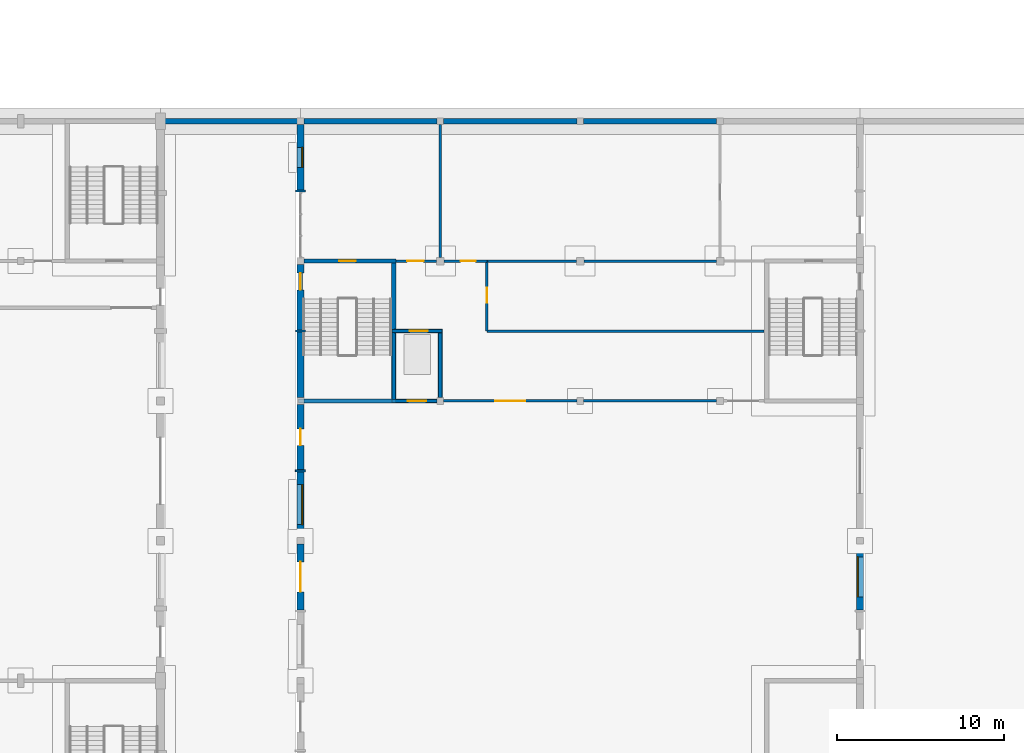
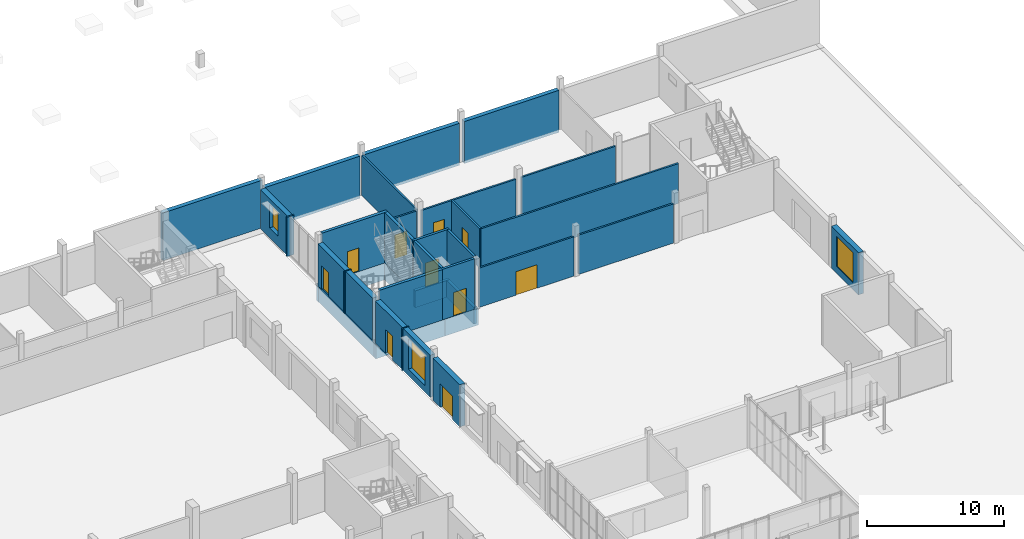
# One storey, part 26 of 36: 37 walls, 10 doors, 3 windows, 13 openings.
"""IFC4 building model written with IfcOpenShell, lengths in metres."""

from ifc_helpers import new_model, si_unit, direction, frame, frame_2d, origin, place, context, subcontext, project, spatial, rectangle, extrude, material, layer, layer_set, type_object, element, fill, save


model = new_model("IFC4")

# Units and contexts
model_context = context("Model", 3, precision=1e-05, world=origin(), true_north=direction((0.0, 1.0)))
body_context = subcontext(model_context, "Body", "Model", "MODEL_VIEW")
ifc_project = project(units=[si_unit("LENGTHUNIT", "METRE"), si_unit("AREAUNIT", "SQUARE_METRE"), si_unit("VOLUMEUNIT", "CUBIC_METRE"), si_unit("PLANEANGLEUNIT", "RADIAN"), si_unit("MASSUNIT", "GRAM", prefix="KILO")], contexts=[model_context])

# Site, building, storey
site_placement = place(None, origin())
site = spatial("IfcSite", under=ifc_project, at=site_placement, CompositionType="ELEMENT")
building_placement = place(site_placement, origin())
building = spatial("IfcBuilding", under=site, at=building_placement, Name="Fescue Hill Polytechnic", CompositionType="ELEMENT")
storey_placement = place(building_placement, origin())
storey = spatial("IfcBuildingStorey", under=building, at=storey_placement, Name="L00", CompositionType="ELEMENT", Elevation=0.0)

# Wall
ifc_material_1 = material(Name="Concrete 40 MPa", Category="concrete")
ifc_layer_1 = layer(ifc_material_1, 0.25)
ifc_layer_set_1 = layer_set([ifc_layer_1], Name="Concrete 40 MPa")
wall_type_1 = type_object("IfcWallType", Name="Core wall 250", PredefinedType="SHEAR", material=ifc_layer_set_1)
wall_1_placement = place(storey_placement, frame((126.199951171875, 33.60009765625, 0.0), z_axis=(0.0, 0.0, 1.0), x_axis=(1.0, 0.0, 0.0)))
element("IfcWall", 1, at=wall_1_placement, inside=storey, type_object=wall_type_1, Name="CW-L00-ST-V3-1-11", PredefinedType="SHEAR", context=body_context, shape_type="SweptSolid", body=[
    extrude(rectangle(XDim=5.300048828125, YDim=0.25, at=frame_2d((2.64990234375, 0.0))), origin(), (0.0, 0.0, 1.0), 4.5),
])

# Wall, opening, door
wall_2_placement = place(storey_placement, frame((126.199951171875, 42.0, 0.0), z_axis=(0.0, 0.0, 1.0), x_axis=(1.0, 0.0, 0.0)))
wall_2 = element("IfcWall", 2, at=wall_2_placement, inside=storey, type_object=wall_type_1, Name="CW-L00-ST-V3-1-21", PredefinedType="SHEAR", context=body_context, shape_type="SweptSolid", body=[
    extrude(rectangle(XDim=5.525146484375, YDim=0.25, at=frame_2d((2.7626953125, 0.0))), origin(), (0.0, 0.0, 1.0), 4.5),
])
opening_1_placement = place(wall_2_placement, frame((2.125, 0.0, 0.0)))
opening_1 = element("IfcOpeningElement", 3, at=opening_1_placement, cuts=wall_2, Name="Opening D0080", PredefinedType="OPENING", context=body_context, shape_type="SweptSolid", body=[
    extrude(rectangle(XDim=1.0, YDim=2.10009765625, at=frame_2d((0.5, 1.050048828125))), frame((0.0, 0.135009765625, 0.0), z_axis=(0.0, -1.0, 0.0), x_axis=(1.0, 0.0, 0.0)), (0.0, 0.0, 1.0), 0.27001953125),
])
ifc_material_2 = material(Name="Steel fire door", Category="steel")
door_type_1 = type_object("IfcDoorType", Name="Door single swing 1000x2100 stair fire rated", OperationType="NOTDEFINED", PredefinedType="DOOR", material=ifc_material_2)
door_1_placement = place(opening_1_placement, origin())
door_1 = element("IfcDoor", 4, at=door_1_placement, inside=storey, type_object=door_type_1, Name="L00 ST-V3-1 stair door", OperationType="SINGLE_SWING_RIGHT", OverallHeight=2.10009765625, OverallWidth=1.0, PredefinedType="DOOR", context=body_context, shape_type="SweptSolid", body=[
    extrude(rectangle(XDim=1.0, YDim=2.10009765625, at=frame_2d((0.5, 1.050048828125))), frame((0.0, 0.02490234375, 0.0), z_axis=(0.0, -1.0, 0.0), x_axis=(1.0, 0.0, 0.0)), (0.0, 0.0, 1.0), 0.050048828125),
])
fill(opening_1, door_1)

# Walls
wall_3_placement = place(storey_placement, frame((131.60009765625, 37.81005859375, 0.0), z_axis=(0.0, 0.0, 1.0), x_axis=(0.0, 1.0, 0.0)))
element("IfcWall", 5, at=wall_3_placement, inside=storey, type_object=wall_type_1, Name="CW-L00-ST-V3-1-41", PredefinedType="SHEAR", context=body_context, shape_type="SweptSolid", body=[
    extrude(rectangle(XDim=4.06494140625, YDim=0.25, at=frame_2d((2.032470703125, 0.0))), origin(), (0.0, 0.0, 1.0), 4.5),
])
for number, where, z_axis, x_axis, name in (
    (6, (125.875, 33.60009765625, -1.5), (0.0, 0.0, 1.0), (1.0, 0.0, 0.0), "FW-ST-V3-1-1"),
    (7, (125.875, 42.0, -1.5), (0.0, 0.0, 1.0), (1.0, 0.0, 0.0), "FW-ST-V3-1-2"),
):
    element("IfcWall", number, at=place(storey_placement, frame(where, z_axis=z_axis, x_axis=x_axis)), inside=storey, type_object=wall_type_1, Name=name, PredefinedType="SHEAR", context=body_context, shape_type="SweptSolid", body=[
        extrude(rectangle(XDim=5.85009765625, YDim=0.25, at=frame_2d((2.925048828125, 0.0))), origin(), (0.0, 0.0, 1.0), 1.5),
    ])
for number, where, z_axis, x_axis, name in (
    (8, (126.0, 33.72509765625, -1.5), (0.0, 0.0, 1.0), (0.0, 1.0, 0.0), "FW-ST-V3-1-3"),
    (9, (131.60009765625, 33.72509765625, -1.5), (0.0, 0.0, 1.0), (0.0, 1.0, 0.0), "FW-ST-V3-1-4"),
):
    element("IfcWall", number, at=place(storey_placement, frame(where, z_axis=z_axis, x_axis=x_axis)), inside=storey, type_object=wall_type_1, Name=name, PredefinedType="SHEAR", context=body_context, shape_type="SweptSolid", body=[
        extrude(rectangle(XDim=8.14990234375, YDim=0.25, at=frame_2d((4.074951171875, 0.0))), origin(), (0.0, 0.0, 1.0), 1.5),
    ])

# Wall, opening, door
ifc_material_3 = material(Name="Gypsum board partition")
ifc_layer_2 = layer(ifc_material_3, 0.14990234375)
ifc_layer_set_2 = layer_set([ifc_layer_2], Name="Gypsum board partition")
wall_type_2 = type_object("IfcWallType", Name="Corridor wall 150 EI 45", PredefinedType="PARTITIONING", material=ifc_layer_set_2)
wall_4_placement = place(storey_placement, frame((134.60009765625, 33.60009765625, 0.0), z_axis=(0.0, 0.0, 1.0), x_axis=(1.0, 0.0, 0.0)))
wall_4 = element("IfcWall", 10, at=wall_4_placement, inside=storey, type_object=wall_type_2, Name="IW-L00-039", PredefinedType="PARTITIONING", context=body_context, shape_type="SweptSolid", body=[
    extrude(rectangle(XDim=8.0, YDim=0.14990234375, at=frame_2d((4.0, 0.0))), origin(), (0.0, 0.0, 1.0), 3.5),
])
opening_2_placement = place(wall_4_placement, frame((3.10009765625, 0.0, 0.0)))
opening_2 = element("IfcOpeningElement", 11, at=opening_2_placement, cuts=wall_4, Name="Opening D0062", PredefinedType="OPENING", context=body_context, shape_type="SweptSolid", body=[
    extrude(rectangle(XDim=1.800048828125, YDim=2.10009765625, at=frame_2d((0.89990234375, 1.050048828125))), frame((0.0, 0.0849609375, 0.0), z_axis=(0.0, -1.0, 0.0), x_axis=(1.0, 0.0, 0.0)), (0.0, 0.0, 1.0), 0.169921875),
])
ifc_material_4 = material(Name="Timber", Category="wood")
door_type_2 = type_object("IfcDoorType", Name="Door double swing 1800x2100 FD30S", OperationType="DOUBLE_DOOR_SINGLE_SWING", PredefinedType="DOOR", material=ifc_material_4)
door_2_placement = place(opening_2_placement, origin())
door_2 = element("IfcDoor", 12, at=door_2_placement, inside=storey, type_object=door_type_2, Name="Door D0062", OperationType="DOUBLE_DOOR_SINGLE_SWING", OverallHeight=2.10009765625, OverallWidth=1.800048828125, PredefinedType="DOOR", context=body_context, shape_type="SweptSolid", body=[
    extrude(rectangle(XDim=1.800048828125, YDim=2.10009765625, at=frame_2d((0.89990234375, 1.050048828125))), frame((0.0, 0.02490234375, 0.0), z_axis=(0.0, -1.0, 0.0), x_axis=(1.0, 0.0, 0.0)), (0.0, 0.0, 1.0), 0.050048828125),
])
fill(opening_2, door_2)

# Walls
wall_5_placement = place(storey_placement, frame((143.0, 33.60009765625, 0.0), z_axis=(0.0, 0.0, 1.0), x_axis=(1.0, 0.0, 0.0)))
element("IfcWall", 13, at=wall_5_placement, inside=storey, type_object=wall_type_2, Name="IW-L00-040", PredefinedType="PARTITIONING", context=body_context, shape_type="SweptSolid", body=[
    extrude(rectangle(XDim=8.0, YDim=0.14990234375, at=frame_2d((4.0, 0.0))), origin(), (0.0, 0.0, 1.0), 3.5),
])
wall_6_placement = place(storey_placement, frame((137.199951171875, 37.800048828125, 0.0), z_axis=(0.0, 0.0, 1.0), x_axis=(1.0, 0.0, 0.0)))
element("IfcWall", 14, at=wall_6_placement, inside=storey, type_object=wall_type_2, Name="IW-L00-042", PredefinedType="PARTITIONING", context=body_context, shape_type="SweptSolid", body=[
    extrude(rectangle(XDim=16.650146484375, YDim=0.14990234375, at=frame_2d((8.3251953125, 0.0))), origin(), (0.0, 0.0, 1.0), 3.550048828125),
])

# Wall, opening, door
wall_7_placement = place(storey_placement, frame((134.625, 42.0, 0.0), z_axis=(0.0, 0.0, 1.0), x_axis=(1.0, 0.0, 0.0)))
wall_7 = element("IfcWall", 15, at=wall_7_placement, inside=storey, type_object=wall_type_2, Name="IW-L00-047", PredefinedType="PARTITIONING", context=body_context, shape_type="SweptSolid", body=[
    extrude(rectangle(XDim=2.574951171875, YDim=0.14990234375, at=frame_2d((1.28759765625, 0.0))), origin(), (0.0, 0.0, 1.0), 3.550048828125),
])
opening_3_placement = place(wall_7_placement, frame((1.0, 0.0, 0.0)))
opening_3 = element("IfcOpeningElement", 16, at=opening_3_placement, cuts=wall_7, Name="Opening D0067", PredefinedType="OPENING", context=body_context, shape_type="SweptSolid", body=[
    extrude(rectangle(XDim=0.89990234375, YDim=2.10009765625, at=frame_2d((0.449951171875, 1.050048828125))), frame((0.0, 0.0849609375, 0.0), z_axis=(0.0, -1.0, 0.0), x_axis=(1.0, 0.0, 0.0)), (0.0, 0.0, 1.0), 0.169921875),
])
door_type_3 = type_object("IfcDoorType", Name="Door single swing 900x2100 FD30S", OperationType="SINGLE_SWING_LEFT", PredefinedType="DOOR", material=ifc_material_4)
door_3_placement = place(opening_3_placement, origin())
door_3 = element("IfcDoor", 17, at=door_3_placement, inside=storey, type_object=door_type_3, Name="Door D0067", OperationType="SINGLE_SWING_RIGHT", OverallHeight=2.10009765625, OverallWidth=0.89990234375, PredefinedType="DOOR", context=body_context, shape_type="SweptSolid", body=[
    extrude(rectangle(XDim=0.89990234375, YDim=2.10009765625, at=frame_2d((0.449951171875, 1.050048828125))), frame((0.0, 0.02490234375, 0.0), z_axis=(0.0, -1.0, 0.0), x_axis=(1.0, 0.0, 0.0)), (0.0, 0.0, 1.0), 0.050048828125),
])
fill(opening_3, door_3)

wall_8_placement = place(storey_placement, frame((137.199951171875, 37.800048828125, 0.0), z_axis=(0.0, 0.0, 1.0), x_axis=(0.0, 1.0, 0.0)))
wall_8 = element("IfcWall", 18, at=wall_8_placement, inside=storey, type_object=wall_type_2, Name="IW-L00-095", PredefinedType="PARTITIONING", context=body_context, shape_type="SweptSolid", body=[
    extrude(rectangle(XDim=4.199951171875, YDim=0.14990234375, at=frame_2d((2.10009765625, 0.0))), origin(), (0.0, 0.0, 1.0), 3.550048828125),
])
opening_4_placement = place(wall_8_placement, frame((1.699951171875, 0.0, 0.0)))
opening_4 = element("IfcOpeningElement", 19, at=opening_4_placement, cuts=wall_8, Name="Opening D0065", PredefinedType="OPENING", context=body_context, shape_type="SweptSolid", body=[
    extrude(rectangle(XDim=0.89990234375, YDim=2.10009765625, at=frame_2d((0.449951171875, 1.050048828125))), frame((0.0, 0.0849609375, 0.0), z_axis=(0.0, -1.0, 0.0), x_axis=(1.0, 0.0, 0.0)), (0.0, 0.0, 1.0), 0.169921875),
])
door_4_placement = place(opening_4_placement, origin())
door_4 = element("IfcDoor", 20, at=door_4_placement, inside=storey, type_object=door_type_3, Name="Door D0065", OperationType="SINGLE_SWING_RIGHT", OverallHeight=2.10009765625, OverallWidth=0.89990234375, PredefinedType="DOOR", context=body_context, shape_type="SweptSolid", body=[
    extrude(rectangle(XDim=0.89990234375, YDim=2.10009765625, at=frame_2d((0.449951171875, 1.050048828125))), frame((0.0, 0.02490234375, 0.0), z_axis=(0.0, -1.0, 0.0), x_axis=(1.0, 0.0, 0.0)), (0.0, 0.0, 1.0), 0.050048828125),
])
fill(opening_4, door_4)

# Wall, opening, window
ifc_material_5 = material(Name="Clay brick masonry", Category="masonry")
ifc_layer_3 = layer(ifc_material_5, 0.419921875)
ifc_layer_set_3 = layer_set([ifc_layer_3], Name="Clay brick masonry")
wall_type_3 = type_object("IfcWallType", Name="Exterior wall buff-red brick cavity 420", PredefinedType="SOLIDWALL", material=ifc_layer_set_3)
wall_9_placement = place(storey_placement, frame((159.60009765625, 21.06005859375, 0.0), z_axis=(0.0, 0.0, 1.0), x_axis=(0.0, 1.0, 0.0)))
wall_9 = element("IfcWall", 21, at=wall_9_placement, inside=storey, type_object=wall_type_3, Name="EW-L00-V3-4", PredefinedType="SOLIDWALL", context=body_context, shape_type="SweptSolid", body=[
    extrude(rectangle(XDim=3.93994140625, YDim=0.419921875, at=frame_2d((1.969970703125, 0.0))), origin(), (0.0, 0.0, 1.0), 3.75),
])
opening_5_placement = place(wall_9_placement, frame((0.77001953125, 0.0, 0.60009765625)))
opening_5 = element("IfcOpeningElement", 22, at=opening_5_placement, cuts=wall_9, Name="Opening W14", PredefinedType="OPENING", context=body_context, shape_type="SweptSolid", body=[
    extrude(rectangle(XDim=2.39990234375, YDim=2.699951171875, at=frame_2d((1.199951171875, 1.35009765625))), frame((0.0, 0.219970703125, 0.0), z_axis=(0.0, -1.0, 0.0), x_axis=(1.0, 0.0, 0.0)), (0.0, 0.0, 1.0), 0.43994140625),
])
ifc_material_6 = material(Name="Powder-coated aluminium and glass", Category="aluminium")
window_type_1 = type_object("IfcWindowType", Name="Window refectory tall 2400x2700", PartitioningType="TRIPLE_PANEL_VERTICAL", PredefinedType="WINDOW", material=ifc_material_6)
window_1_placement = place(opening_5_placement, origin())
window_1 = element("IfcWindow", 23, at=window_1_placement, inside=storey, type_object=window_type_1, Name="WN-L00-V3-1", OverallHeight=2.699951171875, OverallWidth=2.39990234375, PartitioningType="SINGLE_PANEL", PredefinedType="WINDOW", context=body_context, shape_type="SweptSolid", body=[
    extrude(rectangle(XDim=2.39990234375, YDim=2.699951171875, at=frame_2d((1.199951171875, 1.35009765625))), frame((0.0, 0.150146484375, 0.0), z_axis=(0.0, -1.0, 0.0), x_axis=(1.0, 0.0, 0.0)), (0.0, 0.0, 1.0), 0.06005859375),
])
fill(opening_5, window_1)

wall_10_placement = place(storey_placement, frame((126.0, 50.199951171875, 0.0), z_axis=(0.0, 0.0, 1.0), x_axis=(0.0, -1.0, 0.0)))
wall_10 = element("IfcWall", 24, at=wall_10_placement, inside=storey, type_object=wall_type_3, Name="EW-L00-V3-10", PredefinedType="SOLIDWALL", context=body_context, shape_type="SweptSolid", body=[
    extrude(rectangle(XDim=3.93994140625, YDim=0.419921875, at=frame_2d((1.969970703125, 0.0))), origin(), (0.0, 0.0, 1.0), 3.5),
])
opening_6_placement = place(wall_10_placement, frame((1.3701171875, 0.0, 0.89990234375)))
opening_6 = element("IfcOpeningElement", 25, at=opening_6_placement, cuts=wall_10, Name="Opening W13", PredefinedType="OPENING", context=body_context, shape_type="SweptSolid", body=[
    extrude(rectangle(XDim=1.199951171875, YDim=2.10009765625, at=frame_2d((0.60009765625, 1.050048828125))), frame((0.0, 0.219970703125, 0.0), z_axis=(0.0, -1.0, 0.0), x_axis=(1.0, 0.0, 0.0)), (0.0, 0.0, 1.0), 0.43994140625),
])
window_type_2 = type_object("IfcWindowType", Name="Window cellular office 1200x2100", PartitioningType="SINGLE_PANEL", PredefinedType="WINDOW", material=ifc_material_6)
window_2_placement = place(opening_6_placement, origin())
window_2 = element("IfcWindow", 26, at=window_2_placement, inside=storey, type_object=window_type_2, Name="WN-L00-V3-3", OverallHeight=2.10009765625, OverallWidth=1.199951171875, PartitioningType="SINGLE_PANEL", PredefinedType="WINDOW", context=body_context, shape_type="SweptSolid", body=[
    extrude(rectangle(XDim=1.199951171875, YDim=2.10009765625, at=frame_2d((0.60009765625, 1.050048828125))), frame((0.0, 0.150146484375, 0.0), z_axis=(0.0, -1.0, 0.0), x_axis=(1.0, 0.0, 0.0)), (0.0, 0.0, 1.0), 0.06005859375),
])
fill(opening_6, window_2)

# Wall, opening, door
wall_11_placement = place(storey_placement, frame((126.0, 33.39990234375, 0.0), z_axis=(0.0, 0.0, 1.0), x_axis=(0.0, -1.0, 0.0)))
wall_11 = element("IfcWall", 27, at=wall_11_placement, inside=storey, type_object=wall_type_3, Name="EW-L00-V3-14", PredefinedType="SOLIDWALL", context=body_context, shape_type="SweptSolid", body=[
    extrude(rectangle(XDim=3.93994140625, YDim=0.419921875, at=frame_2d((1.969970703125, 0.0))), origin(), (0.0, 0.0, 1.0), 3.75),
])
opening_7_placement = place(wall_11_placement, frame((1.469970703125, 0.0, 0.0)))
opening_7 = element("IfcOpeningElement", 28, at=opening_7_placement, cuts=wall_11, Name="Opening D0016", PredefinedType="OPENING", context=body_context, shape_type="SweptSolid", body=[
    extrude(rectangle(XDim=1.0, YDim=2.10009765625, at=frame_2d((0.5, 1.050048828125))), frame((0.0, 0.219970703125, 0.0), z_axis=(0.0, -1.0, 0.0), x_axis=(1.0, 0.0, 0.0)), (0.0, 0.0, 1.0), 0.43994140625),
])
ifc_material_7 = material(Name="Hollow metal")
door_type_4 = type_object("IfcDoorType", Name="Door exit single 1000x2100 fire rated", OperationType="SINGLE_SWING_LEFT", PredefinedType="DOOR", material=ifc_material_7)
door_5_placement = place(opening_7_placement, origin())
door_5 = element("IfcDoor", 29, at=door_5_placement, inside=storey, type_object=door_type_4, Name="Door D0016", OperationType="SINGLE_SWING_LEFT", OverallHeight=2.10009765625, OverallWidth=1.0, PredefinedType="DOOR", context=body_context, shape_type="SweptSolid", body=[
    extrude(rectangle(XDim=1.0, YDim=2.10009765625, at=frame_2d((0.5, 1.050048828125))), frame((0.0, 0.02490234375, 0.0), z_axis=(0.0, -1.0, 0.0), x_axis=(1.0, 0.0, 0.0)), (0.0, 0.0, 1.0), 0.050048828125),
])
fill(opening_7, door_5)

# Wall, opening, window
wall_12_placement = place(storey_placement, frame((126.0, 29.340087890625, 0.0), z_axis=(0.0, 0.0, 1.0), x_axis=(0.0, -1.0, 0.0)))
wall_12 = element("IfcWall", 30, at=wall_12_placement, inside=storey, type_object=wall_type_3, Name="EW-L00-V3-15", PredefinedType="SOLIDWALL", context=body_context, shape_type="SweptSolid", body=[
    extrude(rectangle(XDim=3.940185546875, YDim=0.419921875, at=frame_2d((1.97021484375, 0.0))), origin(), (0.0, 0.0, 1.0), 3.75),
])
opening_8_placement = place(wall_12_placement, frame((0.77001953125, 0.0, 0.60009765625)))
opening_8 = element("IfcOpeningElement", 31, at=opening_8_placement, cuts=wall_12, Name="Opening W14", PredefinedType="OPENING", context=body_context, shape_type="SweptSolid", body=[
    extrude(rectangle(XDim=2.39990234375, YDim=2.699951171875, at=frame_2d((1.199951171875, 1.35009765625))), frame((0.0, 0.219970703125, 0.0), z_axis=(0.0, -1.0, 0.0), x_axis=(1.0, 0.0, 0.0)), (0.0, 0.0, 1.0), 0.43994140625),
])
window_3_placement = place(opening_8_placement, origin())
window_3 = element("IfcWindow", 32, at=window_3_placement, inside=storey, type_object=window_type_1, Name="WN-L00-V3-4", OverallHeight=2.699951171875, OverallWidth=2.39990234375, PartitioningType="SINGLE_PANEL", PredefinedType="WINDOW", context=body_context, shape_type="SweptSolid", body=[
    extrude(rectangle(XDim=2.39990234375, YDim=2.699951171875, at=frame_2d((1.199951171875, 1.35009765625))), frame((0.0, 0.150146484375, 0.0), z_axis=(0.0, -1.0, 0.0), x_axis=(1.0, 0.0, 0.0)), (0.0, 0.0, 1.0), 0.06005859375),
])
fill(opening_8, window_3)

# Wall, opening, door
wall_13_placement = place(storey_placement, frame((126.0, 25.0, 0.0), z_axis=(0.0, 0.0, 1.0), x_axis=(0.0, -1.0, 0.0)))
wall_13 = element("IfcWall", 33, at=wall_13_placement, inside=storey, type_object=wall_type_3, Name="EW-L00-V3-16", PredefinedType="SOLIDWALL", context=body_context, shape_type="SweptSolid", body=[
    extrude(rectangle(XDim=3.93994140625, YDim=0.419921875, at=frame_2d((1.969970703125, 0.0))), origin(), (0.0, 0.0, 1.0), 3.75),
])
opening_9_placement = place(wall_13_placement, frame((1.070068359375, 0.0, 0.0)))
opening_9 = element("IfcOpeningElement", 34, at=opening_9_placement, cuts=wall_13, Name="Opening D0017", PredefinedType="OPENING", context=body_context, shape_type="SweptSolid", body=[
    extrude(rectangle(XDim=1.800048828125, YDim=2.10009765625, at=frame_2d((0.89990234375, 1.050048828125))), frame((0.0, 0.219970703125, 0.0), z_axis=(0.0, -1.0, 0.0), x_axis=(1.0, 0.0, 0.0)), (0.0, 0.0, 1.0), 0.43994140625),
])
door_type_5 = type_object("IfcDoorType", Name="Door exit double 1800x2100 fire rated", OperationType="DOUBLE_DOOR_SINGLE_SWING", PredefinedType="DOOR", material=ifc_material_7)
door_6_placement = place(opening_9_placement, origin())
door_6 = element("IfcDoor", 35, at=door_6_placement, inside=storey, type_object=door_type_5, Name="Door D0017", OperationType="SINGLE_SWING_LEFT", OverallHeight=2.10009765625, OverallWidth=1.800048828125, PredefinedType="DOOR", context=body_context, shape_type="SweptSolid", body=[
    extrude(rectangle(XDim=1.800048828125, YDim=2.10009765625, at=frame_2d((0.89990234375, 1.050048828125))), frame((0.0, 0.02490234375, 0.0), z_axis=(0.0, -1.0, 0.0), x_axis=(1.0, 0.0, 0.0)), (0.0, 0.0, 1.0), 0.050048828125),
])
fill(opening_9, door_6)

ifc_layer_4 = layer(ifc_material_5, 0.419921875)
ifc_layer_set_4 = layer_set([ifc_layer_4], Name="Clay brick masonry")
wall_type_4 = type_object("IfcWallType", Name="Exterior wall buff-red brick cavity 420 load-bearing", PredefinedType="SOLIDWALL", material=ifc_layer_set_4)
wall_14_placement = place(storey_placement, frame((126.0, 41.800048828125, 0.0), z_axis=(0.0, 0.0, 1.0), x_axis=(0.0, -1.0, 0.0)))
wall_14 = element("IfcWall", 36, at=wall_14_placement, inside=storey, type_object=wall_type_4, Name="EW-L00-V3-12", PredefinedType="SOLIDWALL", context=body_context, shape_type="SweptSolid", body=[
    extrude(rectangle(XDim=3.93994140625, YDim=0.419921875, at=frame_2d((1.969970703125, 0.0))), origin(), (0.0, 0.0, 1.0), 3.75),
])
opening_10_placement = place(wall_14_placement, frame((1.52490234375, 0.0, 0.0), z_axis=(0.0, 0.0, 1.0), x_axis=(-1.0, 0.0, 0.0)))
opening_10 = element("IfcOpeningElement", 37, at=opening_10_placement, cuts=wall_14, Name="Opening D0081", PredefinedType="OPENING", context=body_context, shape_type="SweptSolid", body=[
    extrude(rectangle(XDim=1.0, YDim=2.10009765625, at=frame_2d((0.5, 1.050048828125))), frame((0.0, 0.219970703125, 0.0), z_axis=(0.0, -1.0, 0.0), x_axis=(1.0, 0.0, 0.0)), (0.0, 0.0, 1.0), 0.43994140625),
])
door_7_placement = place(opening_10_placement, origin())
door_7 = element("IfcDoor", 38, at=door_7_placement, inside=storey, type_object=door_type_4, Name="Door D0081", OperationType="SINGLE_SWING_LEFT", OverallHeight=2.10009765625, OverallWidth=1.0, PredefinedType="DOOR", context=body_context, shape_type="SweptSolid", body=[
    extrude(rectangle(XDim=1.0, YDim=2.10009765625, at=frame_2d((0.5, 1.050048828125))), frame((0.0, 0.02490234375, 0.0), z_axis=(0.0, -1.0, 0.0), x_axis=(1.0, 0.0, 0.0)), (0.0, 0.0, 1.0), 0.050048828125),
])
fill(opening_10, door_7)

# Walls
wall_15_placement = place(storey_placement, frame((126.0, 37.739990234375, 0.0), z_axis=(0.0, 0.0, 1.0), x_axis=(0.0, -1.0, 0.0)))
element("IfcWall", 39, at=wall_15_placement, inside=storey, type_object=wall_type_4, Name="EW-L00-V3-13", PredefinedType="SOLIDWALL", context=body_context, shape_type="SweptSolid", body=[
    extrude(rectangle(XDim=3.93994140625, YDim=0.419921875, at=frame_2d((1.969970703125, 0.0))), origin(), (0.0, 0.0, 1.0), 3.75),
])
ifc_layer_5 = layer(ifc_material_1, 0.25)
ifc_layer_set_5 = layer_set([ifc_layer_5], Name="Concrete 40 MPa")
wall_type_5 = type_object("IfcWallType", Name="Lift pit wall 250", PredefinedType="SHEAR", material=ifc_layer_set_5)
wall_16_placement = place(storey_placement, frame((131.72509765625, 33.60009765625, -1.5), z_axis=(0.0, 0.0, 1.0), x_axis=(1.0, 0.0, 0.0)))
element("IfcWall", 40, at=wall_16_placement, inside=storey, type_object=wall_type_5, Name="PW-L00-LF-V3-1-1", PredefinedType="SHEAR", context=body_context, shape_type="SweptSolid", body=[
    extrude(rectangle(XDim=2.7998046875, YDim=0.25, at=frame_2d((1.39990234375, 0.0))), origin(), (0.0, 0.0, 1.0), 1.5),
])
wall_17_placement = place(storey_placement, frame((131.610107421875, 37.800048828125, -1.5), z_axis=(0.0, 0.0, 1.0), x_axis=(1.0, 0.0, 0.0)))
element("IfcWall", 41, at=wall_17_placement, inside=storey, type_object=wall_type_5, Name="PW-L00-LF-V3-1-2", PredefinedType="SHEAR", context=body_context, shape_type="SweptSolid", body=[
    extrude(rectangle(XDim=2.914794921875, YDim=0.25, at=frame_2d((1.45751953125, 0.0))), origin(), (0.0, 0.0, 1.0), 1.5),
])
wall_18_placement = place(storey_placement, frame((134.39990234375, 33.72509765625, -1.5), z_axis=(0.0, 0.0, 1.0), x_axis=(0.0, 1.0, 0.0)))
element("IfcWall", 42, at=wall_18_placement, inside=storey, type_object=wall_type_5, Name="PW-L00-LF-V3-1-4", PredefinedType="SHEAR", context=body_context, shape_type="SweptSolid", body=[
    extrude(rectangle(XDim=3.949951171875, YDim=0.25, at=frame_2d((1.97509765625, 0.0))), origin(), (0.0, 0.0, 1.0), 1.5),
])

# Wall, opening, door
ifc_layer_6 = layer(ifc_material_1, 0.199951171875)
ifc_layer_set_6 = layer_set([ifc_layer_6], Name="Concrete 40 MPa")
wall_type_6 = type_object("IfcWallType", Name="Lift shaft wall 200", PredefinedType="SHEAR", material=ifc_layer_set_6)
wall_19_placement = place(storey_placement, frame((131.5, 33.60009765625, 0.0), z_axis=(0.0, 0.0, 1.0), x_axis=(1.0, 0.0, 0.0)))
wall_19 = element("IfcWall", 43, at=wall_19_placement, inside=storey, type_object=wall_type_6, Name="CW-L00-LF-V3-1-11", PredefinedType="SHEAR", context=body_context, shape_type="SweptSolid", body=[
    extrude(rectangle(XDim=2.699951171875, YDim=0.199951171875, at=frame_2d((1.35009765625, 0.0))), origin(), (0.0, 0.0, 1.0), 4.5),
])
opening_11_placement = place(wall_19_placement, frame((0.949951171875, 0.0, 0.0)))
opening_11 = element("IfcOpeningElement", 44, at=opening_11_placement, cuts=wall_19, Name="Opening LD2-L00", PredefinedType="OPENING", context=body_context, shape_type="SweptSolid", body=[
    extrude(rectangle(XDim=1.10009765625, YDim=2.10009765625, at=frame_2d((0.550048828125, 1.050048828125))), frame((0.0, 0.10986328125, 0.0), z_axis=(0.0, -1.0, 0.0), x_axis=(1.0, 0.0, 0.0)), (0.0, 0.0, 1.0), 0.219970703125),
])
ifc_material_8 = material(Name="Stainless steel", Category="steel")
door_type_6 = type_object("IfcDoorType", Name="Lift landing door sliding 1100x2100", OperationType="SLIDING_TO_LEFT", PredefinedType="DOOR", material=ifc_material_8)
door_8_placement = place(opening_11_placement, origin())
door_8 = element("IfcDoor", 45, at=door_8_placement, inside=storey, type_object=door_type_6, Name="L00 LF-V3-1 lift landing door", OperationType="SLIDING_TO_RIGHT", OverallHeight=2.10009765625, OverallWidth=1.10009765625, PredefinedType="DOOR", context=body_context, shape_type="SweptSolid", body=[
    extrude(rectangle(XDim=1.10009765625, YDim=2.10009765625, at=frame_2d((0.550048828125, 1.050048828125))), frame((0.0, 0.02490234375, 0.0), z_axis=(0.0, -1.0, 0.0), x_axis=(1.0, 0.0, 0.0)), (0.0, 0.0, 1.0), 0.050048828125),
])
fill(opening_11, door_8)

wall_20_placement = place(storey_placement, frame((131.5, 37.800048828125, 0.0), z_axis=(0.0, 0.0, 1.0), x_axis=(1.0, 0.0, 0.0)))
wall_20 = element("IfcWall", 46, at=wall_20_placement, inside=storey, type_object=wall_type_6, Name="CW-L00-LF-V3-1-21", PredefinedType="SHEAR", context=body_context, shape_type="SweptSolid", body=[
    extrude(rectangle(XDim=3.0, YDim=0.199951171875, at=frame_2d((1.5, 0.0))), origin(), (0.0, 0.0, 1.0), 4.5),
])
opening_12_placement = place(wall_20_placement, frame((1.050048828125, 0.0, 0.0)))
opening_12 = element("IfcOpeningElement", 47, at=opening_12_placement, cuts=wall_20, Name="Opening LD2-L00N", PredefinedType="OPENING", context=body_context, shape_type="SweptSolid", body=[
    extrude(rectangle(XDim=1.10009765625, YDim=2.10009765625, at=frame_2d((0.550048828125, 1.050048828125))), frame((0.0, 0.10986328125, 0.0), z_axis=(0.0, -1.0, 0.0), x_axis=(1.0, 0.0, 0.0)), (0.0, 0.0, 1.0), 0.219970703125),
])
door_9_placement = place(opening_12_placement, origin())
door_9 = element("IfcDoor", 48, at=door_9_placement, inside=storey, type_object=door_type_6, Name="L00 LF-V3-1 lift landing door", OperationType="SLIDING_TO_LEFT", OverallHeight=2.10009765625, OverallWidth=1.10009765625, PredefinedType="DOOR", context=body_context, shape_type="SweptSolid", body=[
    extrude(rectangle(XDim=1.10009765625, YDim=2.10009765625, at=frame_2d((0.550048828125, 1.050048828125))), frame((0.0, 0.02490234375, 0.0), z_axis=(0.0, -1.0, 0.0), x_axis=(1.0, 0.0, 0.0)), (0.0, 0.0, 1.0), 0.050048828125),
])
fill(opening_12, door_9)

# Walls
wall_21_placement = place(storey_placement, frame((131.60009765625, 33.699951171875, 0.0), z_axis=(0.0, 0.0, 1.0), x_axis=(0.0, 1.0, 0.0)))
element("IfcWall", 49, at=wall_21_placement, inside=storey, type_object=wall_type_6, Name="CW-L00-LF-V3-1-31", PredefinedType="SHEAR", context=body_context, shape_type="SweptSolid", body=[
    extrude(rectangle(XDim=4.0, YDim=0.199951171875, at=frame_2d((2.0, 0.0))), origin(), (0.0, 0.0, 1.0), 4.5),
])
wall_22_placement = place(storey_placement, frame((134.39990234375, 33.800048828125, 0.0), z_axis=(0.0, 0.0, 1.0), x_axis=(0.0, 1.0, 0.0)))
element("IfcWall", 50, at=wall_22_placement, inside=storey, type_object=wall_type_6, Name="CW-L00-LF-V3-1-41", PredefinedType="SHEAR", context=body_context, shape_type="SweptSolid", body=[
    extrude(rectangle(XDim=3.89990234375, YDim=0.199951171875, at=frame_2d((1.949951171875, 0.0))), origin(), (0.0, 0.0, 1.0), 4.5),
])

# Wall, opening, door
ifc_layer_7 = layer(ifc_material_3, 0.14990234375)
ifc_layer_set_7 = layer_set([ifc_layer_7], Name="Gypsum board partition")
wall_type_7 = type_object("IfcWallType", Name="Lobby wall 150 EI 60", PredefinedType="PARTITIONING", material=ifc_layer_set_7)
wall_23_placement = place(storey_placement, frame((131.75, 42.0, 0.0), z_axis=(0.0, 0.0, 1.0), x_axis=(1.0, 0.0, 0.0)))
wall_23 = element("IfcWall", 51, at=wall_23_placement, inside=storey, type_object=wall_type_7, Name="IW-L00-048", PredefinedType="PARTITIONING", context=body_context, shape_type="SweptSolid", body=[
    extrude(rectangle(XDim=2.425048828125, YDim=0.14990234375, at=frame_2d((1.21240234375, 0.0))), origin(), (0.0, 0.0, 1.0), 3.64990234375),
])
opening_13_placement = place(wall_23_placement, frame((0.64990234375, 0.0, 0.0)))
opening_13 = element("IfcOpeningElement", 52, at=opening_13_placement, cuts=wall_23, Name="Opening D0066", PredefinedType="OPENING", context=body_context, shape_type="SweptSolid", body=[
    extrude(rectangle(XDim=1.0, YDim=2.10009765625, at=frame_2d((0.5, 1.050048828125))), frame((0.0, 0.0849609375, 0.0), z_axis=(0.0, -1.0, 0.0), x_axis=(1.0, 0.0, 0.0)), (0.0, 0.0, 1.0), 0.169921875),
])
ifc_material_9 = material(Name="Steel", Category="steel")
door_type_7 = type_object("IfcDoorType", Name="Door single swing 1000x2100 FD60", OperationType="SINGLE_SWING_LEFT", PredefinedType="DOOR", material=ifc_material_9)
door_10_placement = place(opening_13_placement, origin())
door_10 = element("IfcDoor", 53, at=door_10_placement, inside=storey, type_object=door_type_7, Name="Door D0066", OperationType="SINGLE_SWING_LEFT", OverallHeight=2.10009765625, OverallWidth=1.0, PredefinedType="DOOR", context=body_context, shape_type="SweptSolid", body=[
    extrude(rectangle(XDim=1.0, YDim=2.10009765625, at=frame_2d((0.5, 1.050048828125))), frame((0.0, 0.02490234375, 0.0), z_axis=(0.0, -1.0, 0.0), x_axis=(1.0, 0.0, 0.0)), (0.0, 0.0, 1.0), 0.050048828125),
])
fill(opening_13, door_10)

# Walls
ifc_layer_8 = layer(ifc_material_3, 0.14990234375)
ifc_layer_set_8 = layer_set([ifc_layer_8], Name="Gypsum board partition")
wall_type_8 = type_object("IfcWallType", Name="Partition stud 150 acoustic", PredefinedType="PARTITIONING", material=ifc_layer_set_8)
wall_24_placement = place(storey_placement, frame((137.199951171875, 42.0, 0.0), z_axis=(0.0, 0.0, 1.0), x_axis=(1.0, 0.0, 0.0)))
element("IfcWall", 54, at=wall_24_placement, inside=storey, type_object=wall_type_8, Name="IW-L00-056", PredefinedType="PARTITIONING", context=body_context, shape_type="SweptSolid", body=[
    extrude(rectangle(XDim=5.375, YDim=0.14990234375, at=frame_2d((2.6875, 0.0))), origin(), (0.0, 0.0, 1.0), 3.550048828125),
])
wall_25_placement = place(storey_placement, frame((143.02490234375, 42.0, 0.0), z_axis=(0.0, 0.0, 1.0), x_axis=(1.0, 0.0, 0.0)))
element("IfcWall", 55, at=wall_25_placement, inside=storey, type_object=wall_type_8, Name="IW-L00-057", PredefinedType="PARTITIONING", context=body_context, shape_type="SweptSolid", body=[
    extrude(rectangle(XDim=7.9501953125, YDim=0.14990234375, at=frame_2d((3.97509765625, 0.0))), origin(), (0.0, 0.0, 1.0), 3.550048828125),
])
wall_26_placement = place(storey_placement, frame((134.39990234375, 42.22509765625, 0.0), z_axis=(0.0, 0.0, 1.0), x_axis=(0.0, 1.0, 0.0)))
element("IfcWall", 56, at=wall_26_placement, inside=storey, type_object=wall_type_8, Name="IW-L00-094", PredefinedType="PARTITIONING", context=body_context, shape_type="SweptSolid", body=[
    extrude(rectangle(XDim=7.974853515625, YDim=0.14990234375, at=frame_2d((3.9873046875, 0.0))), origin(), (0.0, 0.0, 1.0), 3.550048828125),
])
ifc_material_10 = material(Name="Concrete 35 MPa", Category="concrete")
ifc_layer_9 = layer(ifc_material_10, 0.35009765625)
ifc_layer_set_9 = layer_set([ifc_layer_9], Name="Concrete 35 MPa")
wall_type_9 = type_object("IfcWallType", Name="Retaining wall 350", PredefinedType="SOLIDWALL", material=ifc_layer_set_9)
for number, where, z_axis, x_axis, name in (
    (57, (151.0, 50.39990234375, -0.25), (0.0, 0.0, 1.0), (-1.0, 0.0, 0.0), "RE-L00-V3-15"),
    (58, (142.60009765625, 50.39990234375, -0.25), (0.0, 0.0, 1.0), (-1.0, 0.0, 0.0), "RE-L00-V3-16"),
    (59, (134.199951171875, 50.39990234375, -0.25), (0.0, 0.0, 1.0), (-1.0, 0.0, 0.0), "RE-L00-V3-17"),
):
    element("IfcWall", number, at=place(storey_placement, frame(where, z_axis=z_axis, x_axis=x_axis)), inside=storey, type_object=wall_type_9, Name=name, PredefinedType="SOLIDWALL", context=body_context, shape_type="SweptSolid", body=[
        extrude(rectangle(XDim=8.0, YDim=0.35009765625, at=frame_2d((4.0, 0.0))), origin(), (0.0, 0.0, 1.0), 3.75),
    ])
wall_27_placement = place(storey_placement, frame((117.60009765625, 50.39990234375, 0.0), z_axis=(0.0, 0.0, 1.0), x_axis=(1.0, 0.0, 0.0)))
element("IfcWall", 60, at=wall_27_placement, inside=storey, type_object=wall_type_9, Name="RT-RW1", PredefinedType="SOLIDWALL", context=body_context, shape_type="SweptSolid", body=[
    extrude(rectangle(XDim=8.39990234375, YDim=0.35009765625, at=frame_2d((4.199951171875, 0.0))), origin(), (0.0, 0.0, 1.0), 4.25),
])
ifc_material_11 = material(Name="Glulam 24f-EX", Category="wood")
ifc_layer_10 = layer(ifc_material_11, 0.60009765625)
ifc_layer_set_10 = layer_set([ifc_layer_10], Name="Glulam 24f-EX")
wall_type_10 = type_object("IfcWallType", Name="Timber fin 120x600", PredefinedType="SOLIDWALL", material=ifc_layer_set_10)
wall_28_placement = place(storey_placement, frame((126.0, 46.260009765625, 0.0), z_axis=(0.0, 0.0, 1.0), x_axis=(0.0, -1.0, 0.0)))
element("IfcWall", 61, at=wall_28_placement, inside=storey, type_object=wall_type_10, Name="PR-L00-V3-5", PredefinedType="SOLIDWALL", context=body_context, shape_type="SweptSolid", body=[
    extrude(rectangle(XDim=0.1201171875, YDim=0.60009765625, at=frame_2d((0.06005859375, 0.0))), origin(), (0.0, 0.0, 1.0), 3.5),
])
wall_29_placement = place(storey_placement, frame((126.0, 37.860107421875, 0.0), z_axis=(0.0, 0.0, 1.0), x_axis=(0.0, -1.0, 0.0)))
element("IfcWall", 62, at=wall_29_placement, inside=storey, type_object=wall_type_10, Name="PR-L00-V3-6", PredefinedType="SOLIDWALL", context=body_context, shape_type="SweptSolid", body=[
    extrude(rectangle(XDim=0.1201171875, YDim=0.60009765625, at=frame_2d((0.06005859375, 0.0))), origin(), (0.0, 0.0, 1.0), 3.75),
])
wall_30_placement = place(storey_placement, frame((126.0, 29.4599609375, 0.0), z_axis=(0.0, 0.0, 1.0), x_axis=(0.0, -1.0, 0.0)))
element("IfcWall", 63, at=wall_30_placement, inside=storey, type_object=wall_type_10, Name="PR-L00-V3-7", PredefinedType="SOLIDWALL", context=body_context, shape_type="SweptSolid", body=[
    extrude(rectangle(XDim=0.119873046875, YDim=0.60009765625, at=frame_2d((0.06005859375, 0.0))), origin(), (0.0, 0.0, 1.0), 3.75),
])

save(model, "model.ifc")
